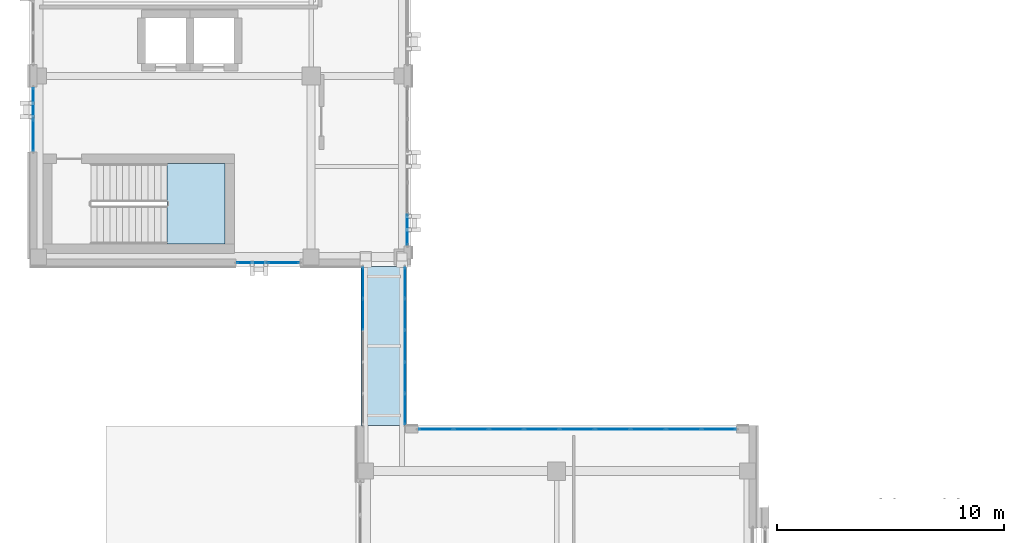
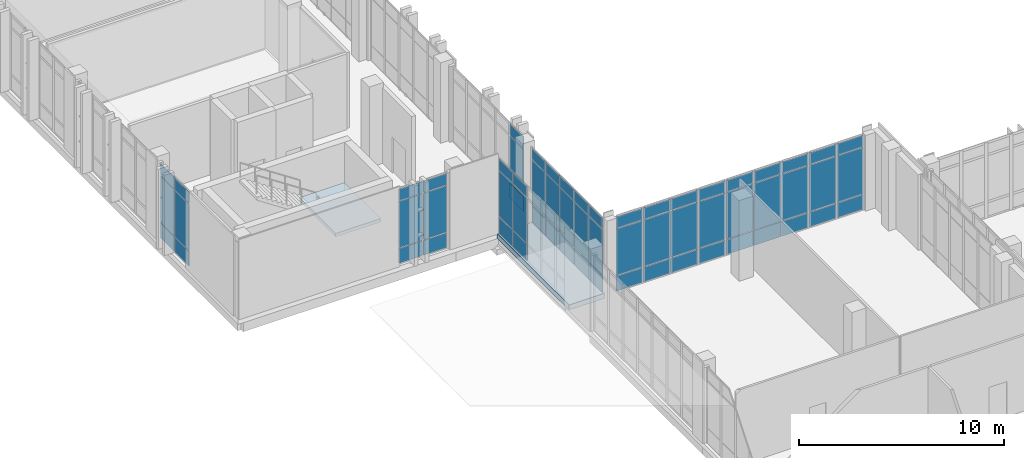
# One storey, part 132 of 189: 63 plates, 2 slabs, 7 elements without a shape of their own.
"""IFC4 building model written with IfcOpenShell, lengths in metres."""

from ifc_helpers import new_model, si_unit, direction, frame, origin, origin_2d, place, context, subcontext, project, spatial, polyline, rectangle, outline, extrude, material, layer, layer_set, type_object, element, aggregate, save


model = new_model("IFC4")

# Units and contexts
model_context = context("Model", 3, precision=1e-05, world=origin(), true_north=direction((0.0, 1.0)))
body_context = subcontext(model_context, "Body", "Model", "MODEL_VIEW")
ifc_project = project(units=[si_unit("LENGTHUNIT", "METRE"), si_unit("AREAUNIT", "SQUARE_METRE"), si_unit("VOLUMEUNIT", "CUBIC_METRE"), si_unit("PLANEANGLEUNIT", "RADIAN"), si_unit("MASSUNIT", "GRAM", prefix="KILO")], contexts=[model_context])

# Site, building, storey
site_placement = place(None, origin())
site = spatial("IfcSite", under=ifc_project, at=site_placement, CompositionType="ELEMENT")
building_placement = place(site_placement, origin())
building = spatial("IfcBuilding", under=site, at=building_placement, Name="Qalavern Law Courts", CompositionType="ELEMENT")
storey_placement = place(building_placement, frame((0.0, 0.0, 5.39990234375)))
storey = spatial("IfcBuildingStorey", under=building, at=storey_placement, Name="L01", CompositionType="ELEMENT", Elevation=5.39990234375)

# Curtain wall, plates
ifc_material_1 = material(Name="Anodised aluminium and insulated glazing", Category="aluminium")
ifc_layer_1 = layer(ifc_material_1, 0.14990234375)
ifc_layer_set_1 = layer_set([ifc_layer_1], Name="Anodised aluminium and insulated glazing")
curtain_wall_type_1 = type_object("IfcCurtainWallType", Name="ENV-CW-BRG", PredefinedType="USERDEFINED", material=ifc_layer_set_1)
curtain_wall_1_placement = place(storey_placement, origin())
curtain_wall_1 = element("IfcCurtainWall", 1, at=curtain_wall_1_placement, inside=storey, type_object=curtain_wall_type_1, Name="Bridge BR-V1-V3 glazed curtain wall L01-1", ObjectType="UNITISED CURTAIN WALL", PredefinedType="USERDEFINED")
ifc_material_2 = material(Name="Insulated low-E acoustic glazing", Category="glass")
ifc_layer_2 = layer(ifc_material_2, 0.031982421875)
ifc_layer_set_2 = layer_set([ifc_layer_2], Name="Insulated low-E acoustic glazing")
plate_type_1 = type_object("IfcPlateType", Name="ENV-CWP-32", PredefinedType="CURTAIN_PANEL", material=ifc_layer_set_2)
plate_1_placement = place(storey_placement, frame((16.675048828125, 40.2900390625, 0.048095703125), z_axis=(0.0, 0.0, 1.0), x_axis=(0.0, -1.0, 0.0)))
plate_1 = element("IfcPlate", 2, at=plate_1_placement, type_object=plate_type_1, Name="CW-06 panel 1.1", PredefinedType="CURTAIN_PANEL", context=body_context, shape_type="SweptSolid", body=[
    extrude(rectangle(XDim=1.323974609375, YDim=0.031982421875, at=origin_2d()), origin(), (0.0, 0.0, 1.0), 0.97802734375),
])
plate_2_placement = place(storey_placement, frame((16.675048828125, 40.2900390625, 1.07421875), z_axis=(0.0, 0.0, 1.0), x_axis=(0.0, -1.0, 0.0)))
plate_2 = element("IfcPlate", 3, at=plate_2_placement, type_object=plate_type_1, Name="CW-06 panel 1.2", PredefinedType="CURTAIN_PANEL", context=body_context, shape_type="SweptSolid", body=[
    extrude(rectangle(XDim=1.323974609375, YDim=0.031982421875, at=origin_2d()), origin(), (0.0, 0.0, 1.0), 2.7119140625),
])
plate_3_placement = place(storey_placement, frame((16.675048828125, 40.2900390625, 3.834228515625), z_axis=(0.0, 0.0, 1.0), x_axis=(0.0, -1.0, 0.0)))
plate_3 = element("IfcPlate", 4, at=plate_3_placement, type_object=plate_type_1, Name="CW-06 panel 1.3", PredefinedType="CURTAIN_PANEL", context=body_context, shape_type="SweptSolid", body=[
    extrude(rectangle(XDim=1.323974609375, YDim=0.031982421875, at=origin_2d()), origin(), (0.0, 0.0, 1.0), 0.6279296875),
])
plate_4_placement = place(storey_placement, frame((16.675048828125, 38.906005859375, 0.048095703125), z_axis=(0.0, 0.0, 1.0), x_axis=(0.0, -1.0, 0.0)))
plate_4 = element("IfcPlate", 5, at=plate_4_placement, type_object=plate_type_1, Name="CW-06 panel 2.1", PredefinedType="CURTAIN_PANEL", context=body_context, shape_type="SweptSolid", body=[
    extrude(rectangle(XDim=1.347900390625, YDim=0.031982421875, at=origin_2d()), origin(), (0.0, 0.0, 1.0), 0.97802734375),
])
plate_5_placement = place(storey_placement, frame((16.675048828125, 38.906005859375, 1.07421875), z_axis=(0.0, 0.0, 1.0), x_axis=(0.0, -1.0, 0.0)))
plate_5 = element("IfcPlate", 6, at=plate_5_placement, type_object=plate_type_1, Name="CW-06 panel 2.2", PredefinedType="CURTAIN_PANEL", context=body_context, shape_type="SweptSolid", body=[
    extrude(rectangle(XDim=1.347900390625, YDim=0.031982421875, at=origin_2d()), origin(), (0.0, 0.0, 1.0), 2.7119140625),
])
plate_6_placement = place(storey_placement, frame((16.675048828125, 38.906005859375, 3.834228515625), z_axis=(0.0, 0.0, 1.0), x_axis=(0.0, -1.0, 0.0)))
plate_6 = element("IfcPlate", 7, at=plate_6_placement, type_object=plate_type_1, Name="CW-06 panel 2.3", PredefinedType="CURTAIN_PANEL", context=body_context, shape_type="SweptSolid", body=[
    extrude(rectangle(XDim=1.347900390625, YDim=0.031982421875, at=origin_2d()), origin(), (0.0, 0.0, 1.0), 0.6279296875),
])
aggregate(curtain_wall_1, [plate_1, plate_2, plate_3, plate_4, plate_5, plate_6])

curtain_wall_2_placement = place(storey_placement, origin())
curtain_wall_2 = element("IfcCurtainWall", 8, at=curtain_wall_2_placement, inside=storey, type_object=curtain_wall_type_1, Name="Bridge BR-V1-V3 glazed curtain wall L01-2", ObjectType="UNITISED CURTAIN WALL", PredefinedType="USERDEFINED")
plate_7_placement = place(storey_placement, frame((18.52490234375, 34.72998046875, 0.048095703125), z_axis=(0.0, 0.0, 1.0), x_axis=(0.0, 1.0, 0.0)))
plate_7 = element("IfcPlate", 9, at=plate_7_placement, type_object=plate_type_1, Name="CW-06 panel 1.1", PredefinedType="CURTAIN_PANEL", context=body_context, shape_type="SweptSolid", body=[
    extrude(rectangle(XDim=1.323974609375, YDim=0.031982421875, at=origin_2d()), origin(), (0.0, 0.0, 1.0), 0.97802734375),
])
plate_8_placement = place(storey_placement, frame((18.52490234375, 34.72998046875, 1.07421875), z_axis=(0.0, 0.0, 1.0), x_axis=(0.0, 1.0, 0.0)))
plate_8 = element("IfcPlate", 10, at=plate_8_placement, type_object=plate_type_1, Name="CW-06 panel 1.2", PredefinedType="CURTAIN_PANEL", context=body_context, shape_type="SweptSolid", body=[
    extrude(rectangle(XDim=1.323974609375, YDim=0.031982421875, at=origin_2d()), origin(), (0.0, 0.0, 1.0), 2.7119140625),
])
plate_9_placement = place(storey_placement, frame((18.52490234375, 34.72998046875, 3.834228515625), z_axis=(0.0, 0.0, 1.0), x_axis=(0.0, 1.0, 0.0)))
plate_9 = element("IfcPlate", 11, at=plate_9_placement, type_object=plate_type_1, Name="CW-06 panel 1.3", PredefinedType="CURTAIN_PANEL", context=body_context, shape_type="SweptSolid", body=[
    extrude(rectangle(XDim=1.323974609375, YDim=0.031982421875, at=origin_2d()), origin(), (0.0, 0.0, 1.0), 0.6279296875),
])
plate_10_placement = place(storey_placement, frame((18.52490234375, 36.114013671875, 0.048095703125), z_axis=(0.0, 0.0, 1.0), x_axis=(0.0, 1.0, 0.0)))
plate_10 = element("IfcPlate", 12, at=plate_10_placement, type_object=plate_type_1, Name="CW-06 panel 2.1", PredefinedType="CURTAIN_PANEL", context=body_context, shape_type="SweptSolid", body=[
    extrude(rectangle(XDim=1.347900390625, YDim=0.031982421875, at=origin_2d()), origin(), (0.0, 0.0, 1.0), 0.97802734375),
])
plate_11_placement = place(storey_placement, frame((18.52490234375, 36.114013671875, 1.07421875), z_axis=(0.0, 0.0, 1.0), x_axis=(0.0, 1.0, 0.0)))
plate_11 = element("IfcPlate", 13, at=plate_11_placement, type_object=plate_type_1, Name="CW-06 panel 2.2", PredefinedType="CURTAIN_PANEL", context=body_context, shape_type="SweptSolid", body=[
    extrude(rectangle(XDim=1.347900390625, YDim=0.031982421875, at=origin_2d()), origin(), (0.0, 0.0, 1.0), 2.7119140625),
])
plate_12_placement = place(storey_placement, frame((18.52490234375, 36.114013671875, 3.834228515625), z_axis=(0.0, 0.0, 1.0), x_axis=(0.0, 1.0, 0.0)))
plate_12 = element("IfcPlate", 14, at=plate_12_placement, type_object=plate_type_1, Name="CW-06 panel 2.3", PredefinedType="CURTAIN_PANEL", context=body_context, shape_type="SweptSolid", body=[
    extrude(rectangle(XDim=1.347900390625, YDim=0.031982421875, at=origin_2d()), origin(), (0.0, 0.0, 1.0), 0.6279296875),
])
plate_13_placement = place(storey_placement, frame((18.52490234375, 37.510009765625, 0.048095703125), z_axis=(0.0, 0.0, 1.0), x_axis=(0.0, 1.0, 0.0)))
plate_13 = element("IfcPlate", 15, at=plate_13_placement, type_object=plate_type_1, Name="CW-06 panel 3.1", PredefinedType="CURTAIN_PANEL", context=body_context, shape_type="SweptSolid", body=[
    extrude(rectangle(XDim=1.347900390625, YDim=0.031982421875, at=origin_2d()), origin(), (0.0, 0.0, 1.0), 0.97802734375),
])
plate_14_placement = place(storey_placement, frame((18.52490234375, 37.510009765625, 1.07421875), z_axis=(0.0, 0.0, 1.0), x_axis=(0.0, 1.0, 0.0)))
plate_14 = element("IfcPlate", 16, at=plate_14_placement, type_object=plate_type_1, Name="CW-06 panel 3.2", PredefinedType="CURTAIN_PANEL", context=body_context, shape_type="SweptSolid", body=[
    extrude(rectangle(XDim=1.347900390625, YDim=0.031982421875, at=origin_2d()), origin(), (0.0, 0.0, 1.0), 2.7119140625),
])
plate_15_placement = place(storey_placement, frame((18.52490234375, 37.510009765625, 3.834228515625), z_axis=(0.0, 0.0, 1.0), x_axis=(0.0, 1.0, 0.0)))
plate_15 = element("IfcPlate", 17, at=plate_15_placement, type_object=plate_type_1, Name="CW-06 panel 3.3", PredefinedType="CURTAIN_PANEL", context=body_context, shape_type="SweptSolid", body=[
    extrude(rectangle(XDim=1.347900390625, YDim=0.031982421875, at=origin_2d()), origin(), (0.0, 0.0, 1.0), 0.6279296875),
])
plate_16_placement = place(storey_placement, frame((18.52490234375, 38.906005859375, 0.048095703125), z_axis=(0.0, 0.0, 1.0), x_axis=(0.0, 1.0, 0.0)))
plate_16 = element("IfcPlate", 18, at=plate_16_placement, type_object=plate_type_1, Name="CW-06 panel 4.1", PredefinedType="CURTAIN_PANEL", context=body_context, shape_type="SweptSolid", body=[
    extrude(rectangle(XDim=1.347900390625, YDim=0.031982421875, at=origin_2d()), origin(), (0.0, 0.0, 1.0), 0.97802734375),
])
plate_17_placement = place(storey_placement, frame((18.52490234375, 38.906005859375, 1.07421875), z_axis=(0.0, 0.0, 1.0), x_axis=(0.0, 1.0, 0.0)))
plate_17 = element("IfcPlate", 19, at=plate_17_placement, type_object=plate_type_1, Name="CW-06 panel 4.2", PredefinedType="CURTAIN_PANEL", context=body_context, shape_type="SweptSolid", body=[
    extrude(rectangle(XDim=1.347900390625, YDim=0.031982421875, at=origin_2d()), origin(), (0.0, 0.0, 1.0), 2.7119140625),
])
plate_18_placement = place(storey_placement, frame((18.52490234375, 38.906005859375, 3.834228515625), z_axis=(0.0, 0.0, 1.0), x_axis=(0.0, 1.0, 0.0)))
plate_18 = element("IfcPlate", 20, at=plate_18_placement, type_object=plate_type_1, Name="CW-06 panel 4.3", PredefinedType="CURTAIN_PANEL", context=body_context, shape_type="SweptSolid", body=[
    extrude(rectangle(XDim=1.347900390625, YDim=0.031982421875, at=origin_2d()), origin(), (0.0, 0.0, 1.0), 0.6279296875),
])
plate_19_placement = place(storey_placement, frame((18.52490234375, 40.2900390625, 0.048095703125), z_axis=(0.0, 0.0, 1.0), x_axis=(0.0, 1.0, 0.0)))
plate_19 = element("IfcPlate", 21, at=plate_19_placement, type_object=plate_type_1, Name="CW-06 panel 5.1", PredefinedType="CURTAIN_PANEL", context=body_context, shape_type="SweptSolid", body=[
    extrude(rectangle(XDim=1.323974609375, YDim=0.031982421875, at=origin_2d()), origin(), (0.0, 0.0, 1.0), 0.97802734375),
])
plate_20_placement = place(storey_placement, frame((18.52490234375, 40.2900390625, 1.07421875), z_axis=(0.0, 0.0, 1.0), x_axis=(0.0, 1.0, 0.0)))
plate_20 = element("IfcPlate", 22, at=plate_20_placement, type_object=plate_type_1, Name="CW-06 panel 5.2", PredefinedType="CURTAIN_PANEL", context=body_context, shape_type="SweptSolid", body=[
    extrude(rectangle(XDim=1.323974609375, YDim=0.031982421875, at=origin_2d()), origin(), (0.0, 0.0, 1.0), 2.7119140625),
])
plate_21_placement = place(storey_placement, frame((18.52490234375, 40.2900390625, 3.834228515625), z_axis=(0.0, 0.0, 1.0), x_axis=(0.0, 1.0, 0.0)))
plate_21 = element("IfcPlate", 23, at=plate_21_placement, type_object=plate_type_1, Name="CW-06 panel 5.3", PredefinedType="CURTAIN_PANEL", context=body_context, shape_type="SweptSolid", body=[
    extrude(rectangle(XDim=1.323974609375, YDim=0.031982421875, at=origin_2d()), origin(), (0.0, 0.0, 1.0), 0.6279296875),
])
aggregate(curtain_wall_2, [plate_7, plate_8, plate_9, plate_10, plate_11, plate_12, plate_13, plate_14, plate_15, plate_16, plate_17, plate_18, plate_19, plate_20, plate_21])

ifc_layer_3 = layer(ifc_material_1, 0.172119140625)
ifc_layer_set_3 = layer_set([ifc_layer_3], Name="Anodised aluminium and insulated glazing")
curtain_wall_type_2 = type_object("IfcCurtainWallType", Name="ENV-CW-COURT", PredefinedType="USERDEFINED", material=ifc_layer_set_3)
curtain_wall_3_placement = place(storey_placement, origin())
curtain_wall_3 = element("IfcCurtainWall", 24, at=curtain_wall_3_placement, inside=storey, type_object=curtain_wall_type_2, Name="V3 unitised curtain wall L01 west 7", ObjectType="UNITISED CURTAIN WALL", PredefinedType="USERDEFINED")
ifc_layer_4 = layer(ifc_material_2, 0.035888671875)
ifc_layer_set_4 = layer_set([ifc_layer_4], Name="Insulated low-E acoustic glazing")
plate_type_2 = type_object("IfcPlateType", Name="ENV-CWP-36", PredefinedType="CURTAIN_PANEL", material=ifc_layer_set_4)
plate_22_placement = place(storey_placement, frame((2.16259765625, 48.175537109375, 0.048095703125), z_axis=(0.0, 0.0, 1.0), x_axis=(0.0, -1.0, 0.0)))
plate_22 = element("IfcPlate", 25, at=plate_22_placement, type_object=plate_type_2, Name="CW-03 panel 1.1", PredefinedType="CURTAIN_PANEL", context=body_context, shape_type="SweptSolid", body=[
    extrude(rectangle(XDim=1.35302734375, YDim=0.035888671875, at=origin_2d()), origin(), (0.0, 0.0, 1.0), 0.8779296875),
])
plate_23_placement = place(storey_placement, frame((2.16259765625, 48.175537109375, 0.97412109375), z_axis=(0.0, 0.0, 1.0), x_axis=(0.0, -1.0, 0.0)))
plate_23 = element("IfcPlate", 26, at=plate_23_placement, type_object=plate_type_2, Name="CW-03 panel 1.2", PredefinedType="CURTAIN_PANEL", context=body_context, shape_type="SweptSolid", body=[
    extrude(rectangle(XDim=1.35302734375, YDim=0.035888671875, at=origin_2d()), origin(), (0.0, 0.0, 1.0), 2.761962890625),
])
plate_24_placement = place(storey_placement, frame((2.16259765625, 48.175537109375, 3.7841796875), z_axis=(0.0, 0.0, 1.0), x_axis=(0.0, -1.0, 0.0)))
plate_24 = element("IfcPlate", 27, at=plate_24_placement, type_object=plate_type_2, Name="CW-03 panel 1.3", PredefinedType="CURTAIN_PANEL", context=body_context, shape_type="SweptSolid", body=[
    extrude(rectangle(XDim=1.35302734375, YDim=0.035888671875, at=origin_2d()), origin(), (0.0, 0.0, 1.0), 0.677978515625),
])
plate_25_placement = place(storey_placement, frame((2.16259765625, 46.7744140625, 0.048095703125), z_axis=(0.0, 0.0, 1.0), x_axis=(0.0, -1.0, 0.0)))
plate_25 = element("IfcPlate", 28, at=plate_25_placement, type_object=plate_type_2, Name="CW-03 panel 2.1", PredefinedType="CURTAIN_PANEL", context=body_context, shape_type="SweptSolid", body=[
    extrude(rectangle(XDim=1.35302734375, YDim=0.035888671875, at=origin_2d()), origin(), (0.0, 0.0, 1.0), 0.8779296875),
])
plate_26_placement = place(storey_placement, frame((2.16259765625, 46.7744140625, 0.97412109375), z_axis=(0.0, 0.0, 1.0), x_axis=(0.0, -1.0, 0.0)))
plate_26 = element("IfcPlate", 29, at=plate_26_placement, type_object=plate_type_2, Name="CW-03 panel 2.2", PredefinedType="CURTAIN_PANEL", context=body_context, shape_type="SweptSolid", body=[
    extrude(rectangle(XDim=1.35302734375, YDim=0.035888671875, at=origin_2d()), origin(), (0.0, 0.0, 1.0), 2.761962890625),
])
plate_27_placement = place(storey_placement, frame((2.16259765625, 46.7744140625, 3.7841796875), z_axis=(0.0, 0.0, 1.0), x_axis=(0.0, -1.0, 0.0)))
plate_27 = element("IfcPlate", 30, at=plate_27_placement, type_object=plate_type_2, Name="CW-03 panel 2.3", PredefinedType="CURTAIN_PANEL", context=body_context, shape_type="SweptSolid", body=[
    extrude(rectangle(XDim=1.35302734375, YDim=0.035888671875, at=origin_2d()), origin(), (0.0, 0.0, 1.0), 0.677978515625),
])
aggregate(curtain_wall_3, [plate_22, plate_23, plate_24, plate_25, plate_26, plate_27])

ifc_layer_5 = layer(ifc_material_1, 0.199951171875)
ifc_layer_set_5 = layer_set([ifc_layer_5], Name="Anodised aluminium and insulated glazing")
curtain_wall_type_3 = type_object("IfcCurtainWallType", Name="ENV-CW-FOYER", PredefinedType="USERDEFINED", material=ifc_layer_set_5)
curtain_wall_4_placement = place(storey_placement, origin())
curtain_wall_4 = element("IfcCurtainWall", 31, at=curtain_wall_4_placement, inside=storey, type_object=curtain_wall_type_3, Name="V1 unitised curtain wall L01 north 1", ObjectType="UNITISED CURTAIN WALL", PredefinedType="USERDEFINED")
ifc_layer_6 = layer(ifc_material_2, 0.0439453125)
ifc_layer_set_6 = layer_set([ifc_layer_6], Name="Insulated low-E acoustic glazing")
plate_type_3 = type_object("IfcPlateType", Name="ENV-CWP-44", PredefinedType="CURTAIN_PANEL", material=ifc_layer_set_6)
plate_28_placement = place(storey_placement, frame((32.338623046875, 33.83740234375, 0.048095703125), z_axis=(0.0, 0.0, 1.0), x_axis=(-1.0, 0.0, 0.0)))
plate_28 = element("IfcPlate", 32, at=plate_28_placement, type_object=plate_type_3, Name="CW-01 panel 1.1", PredefinedType="CURTAIN_PANEL", context=body_context, shape_type="SweptSolid", body=[
    extrude(rectangle(XDim=1.48681640625, YDim=0.0439453125, at=origin_2d()), origin(), (0.0, 0.0, 1.0), 0.8779296875),
])
plate_29_placement = place(storey_placement, frame((32.338623046875, 33.83740234375, 0.97412109375), z_axis=(0.0, 0.0, 1.0), x_axis=(-1.0, 0.0, 0.0)))
plate_29 = element("IfcPlate", 33, at=plate_29_placement, type_object=plate_type_3, Name="CW-01 panel 1.2", PredefinedType="CURTAIN_PANEL", context=body_context, shape_type="SweptSolid", body=[
    extrude(rectangle(XDim=1.48681640625, YDim=0.0439453125, at=origin_2d()), origin(), (0.0, 0.0, 1.0), 2.761962890625),
])
plate_30_placement = place(storey_placement, frame((32.338623046875, 33.83740234375, 3.7841796875), z_axis=(0.0, 0.0, 1.0), x_axis=(-1.0, 0.0, 0.0)))
plate_30 = element("IfcPlate", 34, at=plate_30_placement, type_object=plate_type_3, Name="CW-01 panel 1.3", PredefinedType="CURTAIN_PANEL", context=body_context, shape_type="SweptSolid", body=[
    extrude(rectangle(XDim=1.48681640625, YDim=0.0439453125, at=origin_2d()), origin(), (0.0, 0.0, 1.0), 0.677978515625),
])
plate_31_placement = place(storey_placement, frame((30.791748046875, 33.83740234375, 0.048095703125), z_axis=(0.0, 0.0, 1.0), x_axis=(-1.0, 0.0, 0.0)))
plate_31 = element("IfcPlate", 35, at=plate_31_placement, type_object=plate_type_3, Name="CW-01 panel 2.1", PredefinedType="CURTAIN_PANEL", context=body_context, shape_type="SweptSolid", body=[
    extrude(rectangle(XDim=1.510986328125, YDim=0.0439453125, at=origin_2d()), origin(), (0.0, 0.0, 1.0), 0.8779296875),
])
plate_32_placement = place(storey_placement, frame((30.791748046875, 33.83740234375, 0.97412109375), z_axis=(0.0, 0.0, 1.0), x_axis=(-1.0, 0.0, 0.0)))
plate_32 = element("IfcPlate", 36, at=plate_32_placement, type_object=plate_type_3, Name="CW-01 panel 2.2", PredefinedType="CURTAIN_PANEL", context=body_context, shape_type="SweptSolid", body=[
    extrude(rectangle(XDim=1.510986328125, YDim=0.0439453125, at=origin_2d()), origin(), (0.0, 0.0, 1.0), 2.761962890625),
])
plate_33_placement = place(storey_placement, frame((30.791748046875, 33.83740234375, 3.7841796875), z_axis=(0.0, 0.0, 1.0), x_axis=(-1.0, 0.0, 0.0)))
plate_33 = element("IfcPlate", 37, at=plate_33_placement, type_object=plate_type_3, Name="CW-01 panel 2.3", PredefinedType="CURTAIN_PANEL", context=body_context, shape_type="SweptSolid", body=[
    extrude(rectangle(XDim=1.510986328125, YDim=0.0439453125, at=origin_2d()), origin(), (0.0, 0.0, 1.0), 0.677978515625),
])
plate_34_placement = place(storey_placement, frame((29.232666015625, 33.83740234375, 0.048095703125), z_axis=(0.0, 0.0, 1.0), x_axis=(-1.0, 0.0, 0.0)))
plate_34 = element("IfcPlate", 38, at=plate_34_placement, type_object=plate_type_3, Name="CW-01 panel 3.1", PredefinedType="CURTAIN_PANEL", context=body_context, shape_type="SweptSolid", body=[
    extrude(rectangle(XDim=1.510986328125, YDim=0.0439453125, at=origin_2d()), origin(), (0.0, 0.0, 1.0), 0.8779296875),
])
plate_35_placement = place(storey_placement, frame((29.232666015625, 33.83740234375, 0.97412109375), z_axis=(0.0, 0.0, 1.0), x_axis=(-1.0, 0.0, 0.0)))
plate_35 = element("IfcPlate", 39, at=plate_35_placement, type_object=plate_type_3, Name="CW-01 panel 3.2", PredefinedType="CURTAIN_PANEL", context=body_context, shape_type="SweptSolid", body=[
    extrude(rectangle(XDim=1.510986328125, YDim=0.0439453125, at=origin_2d()), origin(), (0.0, 0.0, 1.0), 2.761962890625),
])
plate_36_placement = place(storey_placement, frame((29.232666015625, 33.83740234375, 3.7841796875), z_axis=(0.0, 0.0, 1.0), x_axis=(-1.0, 0.0, 0.0)))
plate_36 = element("IfcPlate", 40, at=plate_36_placement, type_object=plate_type_3, Name="CW-01 panel 3.3", PredefinedType="CURTAIN_PANEL", context=body_context, shape_type="SweptSolid", body=[
    extrude(rectangle(XDim=1.510986328125, YDim=0.0439453125, at=origin_2d()), origin(), (0.0, 0.0, 1.0), 0.677978515625),
])
plate_37_placement = place(storey_placement, frame((27.673828125, 33.83740234375, 0.048095703125), z_axis=(0.0, 0.0, 1.0), x_axis=(-1.0, 0.0, 0.0)))
plate_37 = element("IfcPlate", 41, at=plate_37_placement, type_object=plate_type_3, Name="CW-01 panel 4.1", PredefinedType="CURTAIN_PANEL", context=body_context, shape_type="SweptSolid", body=[
    extrude(rectangle(XDim=1.510986328125, YDim=0.0439453125, at=origin_2d()), origin(), (0.0, 0.0, 1.0), 0.8779296875),
])
plate_38_placement = place(storey_placement, frame((27.673828125, 33.83740234375, 0.97412109375), z_axis=(0.0, 0.0, 1.0), x_axis=(-1.0, 0.0, 0.0)))
plate_38 = element("IfcPlate", 42, at=plate_38_placement, type_object=plate_type_3, Name="CW-01 panel 4.2", PredefinedType="CURTAIN_PANEL", context=body_context, shape_type="SweptSolid", body=[
    extrude(rectangle(XDim=1.510986328125, YDim=0.0439453125, at=origin_2d()), origin(), (0.0, 0.0, 1.0), 2.761962890625),
])
plate_39_placement = place(storey_placement, frame((27.673828125, 33.83740234375, 3.7841796875), z_axis=(0.0, 0.0, 1.0), x_axis=(-1.0, 0.0, 0.0)))
plate_39 = element("IfcPlate", 43, at=plate_39_placement, type_object=plate_type_3, Name="CW-01 panel 4.3", PredefinedType="CURTAIN_PANEL", context=body_context, shape_type="SweptSolid", body=[
    extrude(rectangle(XDim=1.510986328125, YDim=0.0439453125, at=origin_2d()), origin(), (0.0, 0.0, 1.0), 0.677978515625),
])
plate_40_placement = place(storey_placement, frame((26.114990234375, 33.83740234375, 0.048095703125), z_axis=(0.0, 0.0, 1.0), x_axis=(-1.0, 0.0, 0.0)))
plate_40 = element("IfcPlate", 44, at=plate_40_placement, type_object=plate_type_3, Name="CW-01 panel 5.1", PredefinedType="CURTAIN_PANEL", context=body_context, shape_type="SweptSolid", body=[
    extrude(rectangle(XDim=1.510986328125, YDim=0.0439453125, at=origin_2d()), origin(), (0.0, 0.0, 1.0), 0.8779296875),
])
plate_41_placement = place(storey_placement, frame((26.114990234375, 33.83740234375, 0.97412109375), z_axis=(0.0, 0.0, 1.0), x_axis=(-1.0, 0.0, 0.0)))
plate_41 = element("IfcPlate", 45, at=plate_41_placement, type_object=plate_type_3, Name="CW-01 panel 5.2", PredefinedType="CURTAIN_PANEL", context=body_context, shape_type="SweptSolid", body=[
    extrude(rectangle(XDim=1.510986328125, YDim=0.0439453125, at=origin_2d()), origin(), (0.0, 0.0, 1.0), 2.761962890625),
])
plate_42_placement = place(storey_placement, frame((26.114990234375, 33.83740234375, 3.7841796875), z_axis=(0.0, 0.0, 1.0), x_axis=(-1.0, 0.0, 0.0)))
plate_42 = element("IfcPlate", 46, at=plate_42_placement, type_object=plate_type_3, Name="CW-01 panel 5.3", PredefinedType="CURTAIN_PANEL", context=body_context, shape_type="SweptSolid", body=[
    extrude(rectangle(XDim=1.510986328125, YDim=0.0439453125, at=origin_2d()), origin(), (0.0, 0.0, 1.0), 0.677978515625),
])
plate_43_placement = place(storey_placement, frame((24.55615234375, 33.83740234375, 0.048095703125), z_axis=(0.0, 0.0, 1.0), x_axis=(-1.0, 0.0, 0.0)))
plate_43 = element("IfcPlate", 47, at=plate_43_placement, type_object=plate_type_3, Name="CW-01 panel 6.1", PredefinedType="CURTAIN_PANEL", context=body_context, shape_type="SweptSolid", body=[
    extrude(rectangle(XDim=1.510986328125, YDim=0.0439453125, at=origin_2d()), origin(), (0.0, 0.0, 1.0), 0.8779296875),
])
plate_44_placement = place(storey_placement, frame((24.55615234375, 33.83740234375, 0.97412109375), z_axis=(0.0, 0.0, 1.0), x_axis=(-1.0, 0.0, 0.0)))
plate_44 = element("IfcPlate", 48, at=plate_44_placement, type_object=plate_type_3, Name="CW-01 panel 6.2", PredefinedType="CURTAIN_PANEL", context=body_context, shape_type="SweptSolid", body=[
    extrude(rectangle(XDim=1.510986328125, YDim=0.0439453125, at=origin_2d()), origin(), (0.0, 0.0, 1.0), 2.761962890625),
])
plate_45_placement = place(storey_placement, frame((24.55615234375, 33.83740234375, 3.7841796875), z_axis=(0.0, 0.0, 1.0), x_axis=(-1.0, 0.0, 0.0)))
plate_45 = element("IfcPlate", 49, at=plate_45_placement, type_object=plate_type_3, Name="CW-01 panel 6.3", PredefinedType="CURTAIN_PANEL", context=body_context, shape_type="SweptSolid", body=[
    extrude(rectangle(XDim=1.510986328125, YDim=0.0439453125, at=origin_2d()), origin(), (0.0, 0.0, 1.0), 0.677978515625),
])
plate_46_placement = place(storey_placement, frame((22.997314453125, 33.83740234375, 0.048095703125), z_axis=(0.0, 0.0, 1.0), x_axis=(-1.0, 0.0, 0.0)))
plate_46 = element("IfcPlate", 50, at=plate_46_placement, type_object=plate_type_3, Name="CW-01 panel 7.1", PredefinedType="CURTAIN_PANEL", context=body_context, shape_type="SweptSolid", body=[
    extrude(rectangle(XDim=1.510986328125, YDim=0.0439453125, at=origin_2d()), origin(), (0.0, 0.0, 1.0), 0.8779296875),
])
plate_47_placement = place(storey_placement, frame((22.997314453125, 33.83740234375, 0.97412109375), z_axis=(0.0, 0.0, 1.0), x_axis=(-1.0, 0.0, 0.0)))
plate_47 = element("IfcPlate", 51, at=plate_47_placement, type_object=plate_type_3, Name="CW-01 panel 7.2", PredefinedType="CURTAIN_PANEL", context=body_context, shape_type="SweptSolid", body=[
    extrude(rectangle(XDim=1.510986328125, YDim=0.0439453125, at=origin_2d()), origin(), (0.0, 0.0, 1.0), 2.761962890625),
])
plate_48_placement = place(storey_placement, frame((22.997314453125, 33.83740234375, 3.7841796875), z_axis=(0.0, 0.0, 1.0), x_axis=(-1.0, 0.0, 0.0)))
plate_48 = element("IfcPlate", 52, at=plate_48_placement, type_object=plate_type_3, Name="CW-01 panel 7.3", PredefinedType="CURTAIN_PANEL", context=body_context, shape_type="SweptSolid", body=[
    extrude(rectangle(XDim=1.510986328125, YDim=0.0439453125, at=origin_2d()), origin(), (0.0, 0.0, 1.0), 0.677978515625),
])
plate_49_placement = place(storey_placement, frame((21.438232421875, 33.83740234375, 0.048095703125), z_axis=(0.0, 0.0, 1.0), x_axis=(-1.0, 0.0, 0.0)))
plate_49 = element("IfcPlate", 53, at=plate_49_placement, type_object=plate_type_3, Name="CW-01 panel 8.1", PredefinedType="CURTAIN_PANEL", context=body_context, shape_type="SweptSolid", body=[
    extrude(rectangle(XDim=1.510986328125, YDim=0.0439453125, at=origin_2d()), origin(), (0.0, 0.0, 1.0), 0.8779296875),
])
plate_50_placement = place(storey_placement, frame((21.438232421875, 33.83740234375, 0.97412109375), z_axis=(0.0, 0.0, 1.0), x_axis=(-1.0, 0.0, 0.0)))
plate_50 = element("IfcPlate", 54, at=plate_50_placement, type_object=plate_type_3, Name="CW-01 panel 8.2", PredefinedType="CURTAIN_PANEL", context=body_context, shape_type="SweptSolid", body=[
    extrude(rectangle(XDim=1.510986328125, YDim=0.0439453125, at=origin_2d()), origin(), (0.0, 0.0, 1.0), 2.761962890625),
])
plate_51_placement = place(storey_placement, frame((21.438232421875, 33.83740234375, 3.7841796875), z_axis=(0.0, 0.0, 1.0), x_axis=(-1.0, 0.0, 0.0)))
plate_51 = element("IfcPlate", 55, at=plate_51_placement, type_object=plate_type_3, Name="CW-01 panel 8.3", PredefinedType="CURTAIN_PANEL", context=body_context, shape_type="SweptSolid", body=[
    extrude(rectangle(XDim=1.510986328125, YDim=0.0439453125, at=origin_2d()), origin(), (0.0, 0.0, 1.0), 0.677978515625),
])
plate_52_placement = place(storey_placement, frame((19.891357421875, 33.83740234375, 0.048095703125), z_axis=(0.0, 0.0, 1.0), x_axis=(-1.0, 0.0, 0.0)))
plate_52 = element("IfcPlate", 56, at=plate_52_placement, type_object=plate_type_3, Name="CW-01 panel 9.1", PredefinedType="CURTAIN_PANEL", context=body_context, shape_type="SweptSolid", body=[
    extrude(rectangle(XDim=1.48681640625, YDim=0.0439453125, at=origin_2d()), origin(), (0.0, 0.0, 1.0), 0.8779296875),
])
plate_53_placement = place(storey_placement, frame((19.891357421875, 33.83740234375, 0.97412109375), z_axis=(0.0, 0.0, 1.0), x_axis=(-1.0, 0.0, 0.0)))
plate_53 = element("IfcPlate", 57, at=plate_53_placement, type_object=plate_type_3, Name="CW-01 panel 9.2", PredefinedType="CURTAIN_PANEL", context=body_context, shape_type="SweptSolid", body=[
    extrude(rectangle(XDim=1.48681640625, YDim=0.0439453125, at=origin_2d()), origin(), (0.0, 0.0, 1.0), 2.761962890625),
])
plate_54_placement = place(storey_placement, frame((19.891357421875, 33.83740234375, 3.7841796875), z_axis=(0.0, 0.0, 1.0), x_axis=(-1.0, 0.0, 0.0)))
plate_54 = element("IfcPlate", 58, at=plate_54_placement, type_object=plate_type_3, Name="CW-01 panel 9.3", PredefinedType="CURTAIN_PANEL", context=body_context, shape_type="SweptSolid", body=[
    extrude(rectangle(XDim=1.48681640625, YDim=0.0439453125, at=origin_2d()), origin(), (0.0, 0.0, 1.0), 0.677978515625),
])
aggregate(curtain_wall_4, [plate_28, plate_29, plate_30, plate_31, plate_32, plate_33, plate_34, plate_35, plate_36, plate_37, plate_38, plate_39, plate_40, plate_41, plate_42, plate_43, plate_44, plate_45, plate_46, plate_47, plate_48, plate_49, plate_50, plate_51, plate_52, plate_53, plate_54])

curtain_wall_5_placement = place(storey_placement, origin())
curtain_wall_5 = element("IfcCurtainWall", 59, at=curtain_wall_5_placement, inside=storey, type_object=curtain_wall_type_2, Name="V3 unitised curtain wall L01 south 1", ObjectType="UNITISED CURTAIN WALL", PredefinedType="USERDEFINED")
plate_55_placement = place(storey_placement, frame((11.81201171875, 41.1826171875, 0.048095703125), z_axis=(0.0, 0.0, 1.0), x_axis=(1.0, 0.0, 0.0)))
plate_55 = element("IfcPlate", 60, at=plate_55_placement, type_object=plate_type_3, Name="CW-03 panel 1.1", PredefinedType="CURTAIN_PANEL", context=body_context, shape_type="SweptSolid", body=[
    extrude(rectangle(XDim=1.327880859375, YDim=0.0439453125, at=origin_2d()), origin(), (0.0, 0.0, 1.0), 0.8779296875),
])
plate_56_placement = place(storey_placement, frame((11.81201171875, 41.1826171875, 0.97412109375), z_axis=(0.0, 0.0, 1.0), x_axis=(1.0, 0.0, 0.0)))
plate_56 = element("IfcPlate", 61, at=plate_56_placement, type_object=plate_type_3, Name="CW-03 panel 1.2", PredefinedType="CURTAIN_PANEL", context=body_context, shape_type="SweptSolid", body=[
    extrude(rectangle(XDim=1.327880859375, YDim=0.0439453125, at=origin_2d()), origin(), (0.0, 0.0, 1.0), 2.761962890625),
])
plate_57_placement = place(storey_placement, frame((11.81201171875, 41.1826171875, 3.7841796875), z_axis=(0.0, 0.0, 1.0), x_axis=(1.0, 0.0, 0.0)))
plate_57 = element("IfcPlate", 62, at=plate_57_placement, type_object=plate_type_3, Name="CW-03 panel 1.3", PredefinedType="CURTAIN_PANEL", context=body_context, shape_type="SweptSolid", body=[
    extrude(rectangle(XDim=1.327880859375, YDim=0.0439453125, at=origin_2d()), origin(), (0.0, 0.0, 1.0), 0.677978515625),
])
plate_58_placement = place(storey_placement, frame((13.18798828125, 41.1826171875, 0.048095703125), z_axis=(0.0, 0.0, 1.0), x_axis=(1.0, 0.0, 0.0)))
plate_58 = element("IfcPlate", 63, at=plate_58_placement, type_object=plate_type_3, Name="CW-03 panel 2.1", PredefinedType="CURTAIN_PANEL", context=body_context, shape_type="SweptSolid", body=[
    extrude(rectangle(XDim=1.327880859375, YDim=0.0439453125, at=origin_2d()), origin(), (0.0, 0.0, 1.0), 0.8779296875),
])
plate_59_placement = place(storey_placement, frame((13.18798828125, 41.1826171875, 0.97412109375), z_axis=(0.0, 0.0, 1.0), x_axis=(1.0, 0.0, 0.0)))
plate_59 = element("IfcPlate", 64, at=plate_59_placement, type_object=plate_type_3, Name="CW-03 panel 2.2", PredefinedType="CURTAIN_PANEL", context=body_context, shape_type="SweptSolid", body=[
    extrude(rectangle(XDim=1.327880859375, YDim=0.0439453125, at=origin_2d()), origin(), (0.0, 0.0, 1.0), 2.761962890625),
])
plate_60_placement = place(storey_placement, frame((13.18798828125, 41.1826171875, 3.7841796875), z_axis=(0.0, 0.0, 1.0), x_axis=(1.0, 0.0, 0.0)))
plate_60 = element("IfcPlate", 65, at=plate_60_placement, type_object=plate_type_3, Name="CW-03 panel 2.3", PredefinedType="CURTAIN_PANEL", context=body_context, shape_type="SweptSolid", body=[
    extrude(rectangle(XDim=1.327880859375, YDim=0.0439453125, at=origin_2d()), origin(), (0.0, 0.0, 1.0), 0.677978515625),
])
aggregate(curtain_wall_5, [plate_55, plate_56, plate_57, plate_58, plate_59, plate_60])

curtain_wall_6_placement = place(storey_placement, origin())
curtain_wall_6 = element("IfcCurtainWall", 66, at=curtain_wall_6_placement, inside=storey, type_object=curtain_wall_type_2, Name="V3 unitised curtain wall L01 east 1", ObjectType="UNITISED CURTAIN WALL", PredefinedType="USERDEFINED")
plate_61_placement = place(storey_placement, frame((18.637451171875, 42.6298828125, 0.048095703125), z_axis=(0.0, 0.0, 1.0), x_axis=(0.0, 1.0, 0.0)))
plate_61 = element("IfcPlate", 67, at=plate_61_placement, type_object=plate_type_3, Name="CW-03 panel 1.1", PredefinedType="CURTAIN_PANEL", context=body_context, shape_type="SweptSolid", body=[
    extrude(rectangle(XDim=1.323974609375, YDim=0.0439453125, at=origin_2d()), origin(), (0.0, 0.0, 1.0), 0.8779296875),
])
plate_62_placement = place(storey_placement, frame((18.637451171875, 42.6298828125, 0.97412109375), z_axis=(0.0, 0.0, 1.0), x_axis=(0.0, 1.0, 0.0)))
plate_62 = element("IfcPlate", 68, at=plate_62_placement, type_object=plate_type_3, Name="CW-03 panel 1.2", PredefinedType="CURTAIN_PANEL", context=body_context, shape_type="SweptSolid", body=[
    extrude(rectangle(XDim=1.323974609375, YDim=0.0439453125, at=origin_2d()), origin(), (0.0, 0.0, 1.0), 2.761962890625),
])
plate_63_placement = place(storey_placement, frame((18.637451171875, 42.6298828125, 3.7841796875), z_axis=(0.0, 0.0, 1.0), x_axis=(0.0, 1.0, 0.0)))
plate_63 = element("IfcPlate", 69, at=plate_63_placement, type_object=plate_type_3, Name="CW-03 panel 1.3", PredefinedType="CURTAIN_PANEL", context=body_context, shape_type="SweptSolid", body=[
    extrude(rectangle(XDim=1.323974609375, YDim=0.0439453125, at=origin_2d()), origin(), (0.0, 0.0, 1.0), 0.677978515625),
])
aggregate(curtain_wall_6, [plate_61, plate_62, plate_63])

# Stair, slab
ifc_material_3 = material(Name="Concrete C35/45", Category="concrete")
stair_type = type_object("IfcStairType", Name="INT-STAIR-1700", PredefinedType="HALF_TURN_STAIR", material=ifc_material_3)
stair_placement = place(storey_placement, origin())
stair = element("IfcStair", 70, at=stair_placement, inside=storey, type_object=stair_type, Name="L01 ST-K2", PredefinedType="HALF_TURN_STAIR")
ifc_layer_7 = layer(ifc_material_3, 0.199951171875)
ifc_layer_set_7 = layer_set([ifc_layer_7], Name="Concrete C35/45")
slab_type_1 = type_object("IfcSlabType", Name="INT-LANDING-200", PredefinedType="LANDING", material=ifc_layer_set_7)
slab_1_placement = place(storey_placement, frame((0.0, 0.0, 2.2001953125)))
slab_1 = element("IfcSlab", 71, at=slab_1_placement, type_object=slab_type_1, Name="ST-K2 landing 1", PredefinedType="LANDING", context=body_context, shape_type="SweptSolid", body=[
    extrude(outline(polyline([(8.06005859375, 42.0), (10.60009765625, 42.0), (10.60009765625, 45.550048828125), (8.06005859375, 45.550048828125), (8.06005859375, 42.0)])), origin(), (0.0, 0.0, 1.0), 0.199951171875),
])
aggregate(stair, [slab_1])

# Slab
ifc_material_4 = material(Name="Concrete C40/50", Category="concrete")
ifc_layer_8 = layer(ifc_material_4, 0.300048828125)
ifc_layer_set_8 = layer_set([ifc_layer_8], Name="Concrete C40/50")
slab_type_2 = type_object("IfcSlabType", Name="STR-SLB-L01-300", PredefinedType="FLOOR", material=ifc_layer_set_8)
slab_2_placement = place(storey_placement, frame((0.0, 0.0, -0.2998046875)))
element("IfcSlab", 72, at=slab_2_placement, inside=storey, type_object=slab_type_2, Name="Bridge BR-V1-V3 deck slab L01", PredefinedType="FLOOR", context=body_context, shape_type="SweptSolid", body=[
    extrude(outline(polyline([(16.60009765625, 34.0), (18.60009765625, 34.0), (18.60009765625, 41.02001953125), (16.60009765625, 41.02001953125), (16.60009765625, 34.0)])), origin(), (0.0, 0.0, 1.0), 0.2998046875),
])

save(model, "model.ifc")
